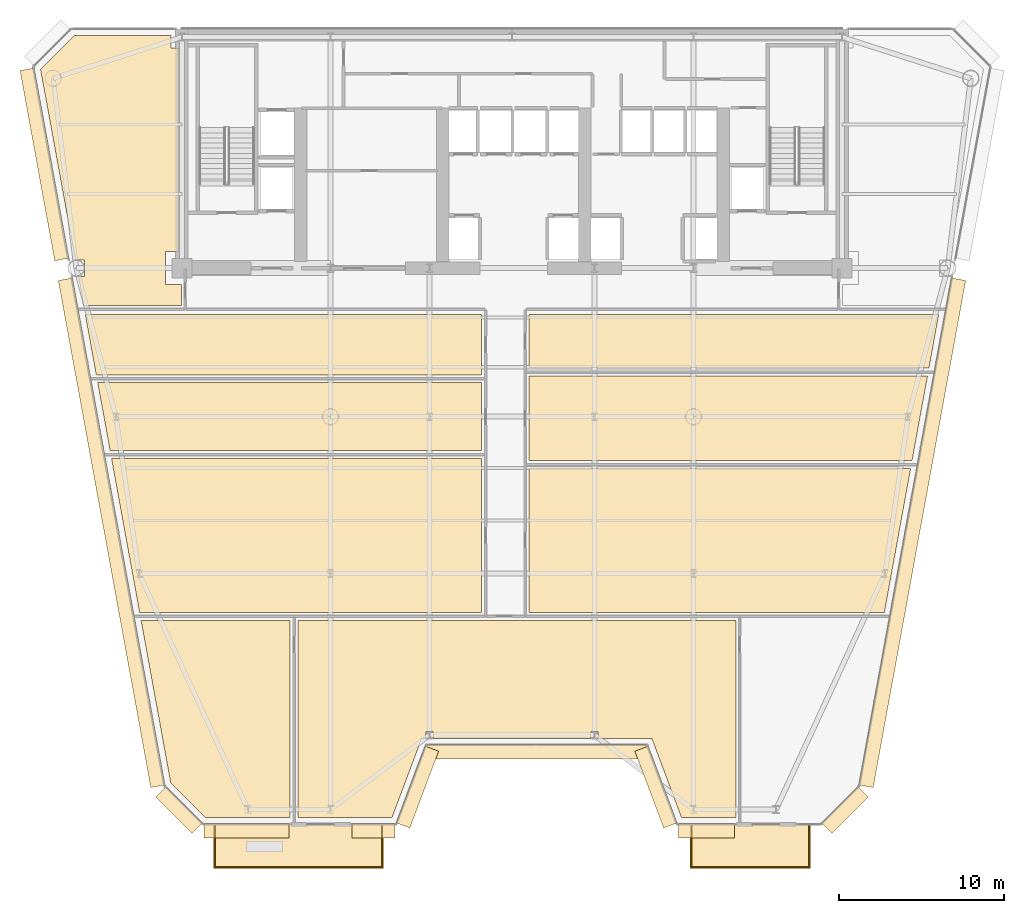
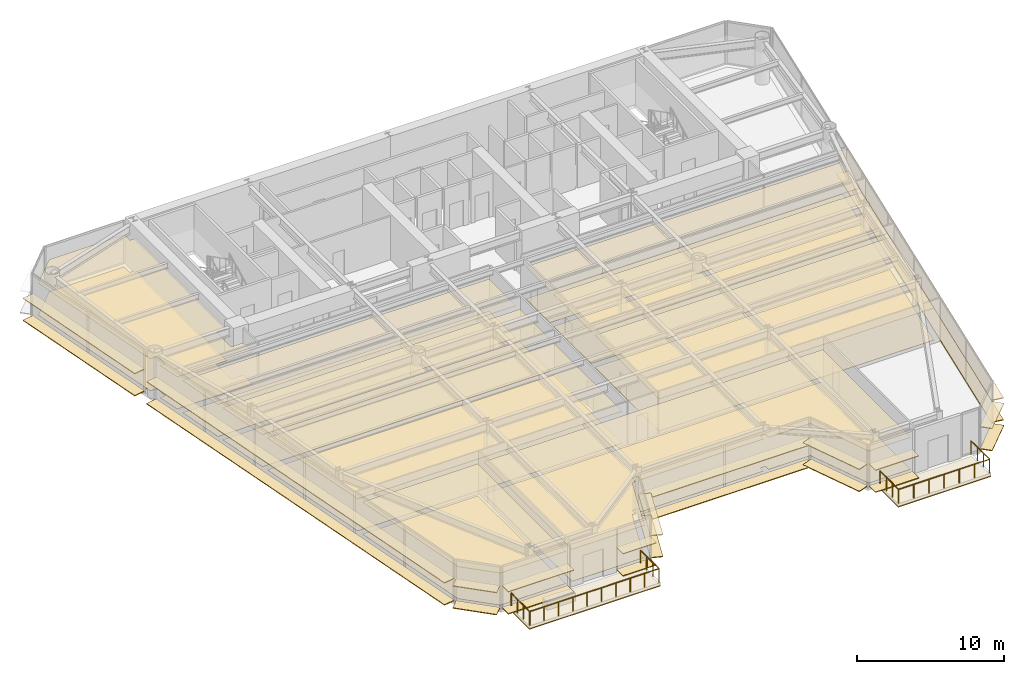
# One storey, part 14 of 17: 42 coverings, 2 railings.
"""IFC4 building model written with IfcOpenShell, lengths in metres."""

from ifc_helpers import new_model, si_unit, direction, frame, origin, origin_2d, place, context, subcontext, project, spatial, polyline, rectangle, circle, outline, extrude, source, transform, mapped, material, layer, layer_set, type_object, element, save


model = new_model("IFC4")

# Units and contexts
model_context = context("Model", 3, precision=1e-05, world=origin(), true_north=direction((0.0, 1.0)))
body_context = subcontext(model_context, "Body", "Model", "MODEL_VIEW")
ifc_project = project(units=[si_unit("LENGTHUNIT", "METRE"), si_unit("AREAUNIT", "SQUARE_METRE"), si_unit("VOLUMEUNIT", "CUBIC_METRE"), si_unit("PLANEANGLEUNIT", "RADIAN"), si_unit("MASSUNIT", "GRAM", prefix="KILO")], contexts=[model_context])

# Site, building, storey
site_placement = place(None, origin())
site = spatial("IfcSite", under=ifc_project, at=site_placement, CompositionType="ELEMENT")
building_placement = place(site_placement, origin())
building = spatial("IfcBuilding", under=site, at=building_placement, Name="Vaeldorn Concourse Tower", CompositionType="ELEMENT")
storey_placement = place(building_placement, frame((0.0, 0.0, 153.800048828125)))
storey = spatial("IfcBuildingStorey", under=building, at=storey_placement, Name="L39", CompositionType="ELEMENT", Elevation=153.800048828125)

# Coverings
ifc_material_1 = material(Name="Acoustic Mineral Fibre Board", Category="gypsum")
ifc_layer_1 = layer(ifc_material_1, 0.0400390625)
ifc_layer_set_1 = layer_set([ifc_layer_1], Name="Acoustic Mineral Fibre Board")
covering_type_1 = type_object("IfcCoveringType", Name="COV-CEIL-ACOUSTIC", PredefinedType="CEILING", material=ifc_layer_set_1)
covering_1_placement = place(storey_placement, frame((0.0, 0.0, 2.64990234375)))
element("IfcCovering", 1, at=covering_1_placement, inside=storey, type_object=covering_type_1, Name="Suspended Acoustic Ceiling L39-3", PredefinedType="CEILING", context=body_context, shape_type="SweptSolid", body=[
    extrude(outline(polyline([(7.4658203125, 50.60009765625), (13.340087890625, 50.60009765625), (13.340087890625, 49.840087890625), (13.820068359375, 49.840087890625), (13.820068359375, 37.5), (13.0, 37.5), (13.0, 35.5), (13.9599609375, 35.5), (13.9599609375, 34.239990234375), (8.044189453125, 34.239990234375), (7.724609375, 35.991943359375), (8.10791015625, 35.991943359375), (8.10791015625, 37.008056640625), (7.539306640625, 37.008056640625), (5.43115234375, 48.5654296875), (7.4658203125, 50.60009765625)])), origin(), (0.0, 0.0, 1.0), 0.0400390625),
])
covering_2_placement = place(storey_placement, frame((0.0, 0.0, 2.64990234375)))
element("IfcCovering", 2, at=covering_2_placement, inside=storey, type_object=covering_type_1, Name="Suspended Acoustic Ceiling L39-5", PredefinedType="CEILING", context=body_context, shape_type="SweptSolid", body=[
    extrude(outline(polyline([(32.159912109375, 24.9599609375), (32.159912109375, 15.639892578125), (11.43701171875, 15.639892578125), (9.737060546875, 24.9599609375), (32.159912109375, 24.9599609375)])), origin(), (0.0, 0.0, 1.0), 0.0400390625),
])
covering_3_placement = place(storey_placement, frame((0.0, 0.0, 2.64990234375)))
element("IfcCovering", 3, at=covering_3_placement, inside=storey, type_object=covering_type_1, Name="Suspended Acoustic Ceiling L39-6", PredefinedType="CEILING", context=body_context, shape_type="SweptSolid", body=[
    extrude(outline(polyline([(32.159912109375, 29.56005859375), (32.159912109375, 25.43994140625), (9.6494140625, 25.43994140625), (8.89794921875, 29.56005859375), (32.159912109375, 29.56005859375)])), origin(), (0.0, 0.0, 1.0), 0.0400390625),
])
covering_4_placement = place(storey_placement, frame((0.0, 0.0, 2.64990234375)))
element("IfcCovering", 4, at=covering_4_placement, inside=storey, type_object=covering_type_1, Name="Suspended Acoustic Ceiling L39-7", PredefinedType="CEILING", context=body_context, shape_type="SweptSolid", body=[
    extrude(outline(polyline([(32.159912109375, 33.699951171875), (32.159912109375, 30.0400390625), (8.810302734375, 30.0400390625), (8.142578125, 33.699951171875), (32.159912109375, 33.699951171875)])), origin(), (0.0, 0.0, 1.0), 0.0400390625),
])
covering_5_placement = place(storey_placement, frame((0.0, 0.0, 2.64990234375)))
element("IfcCovering", 5, at=covering_5_placement, inside=storey, type_object=covering_type_1, Name="Suspended Acoustic Ceiling L39-8", PredefinedType="CEILING", context=body_context, shape_type="SweptSolid", body=[
    extrude(outline(polyline([(35.0400390625, 15.639892578125), (35.0400390625, 24.360107421875), (58.153564453125, 24.360107421875), (56.56298828125, 15.639892578125), (35.0400390625, 15.639892578125)])), origin(), (0.0, 0.0, 1.0), 0.0400390625),
])
covering_6_placement = place(storey_placement, frame((0.0, 0.0, 2.64990234375)))
element("IfcCovering", 6, at=covering_6_placement, inside=storey, type_object=covering_type_1, Name="Suspended Acoustic Ceiling L39-9", PredefinedType="CEILING", context=body_context, shape_type="SweptSolid", body=[
    extrude(outline(polyline([(35.0400390625, 24.840087890625), (35.0400390625, 29.9599609375), (59.175048828125, 29.9599609375), (58.2412109375, 24.840087890625), (35.0400390625, 24.840087890625)])), origin(), (0.0, 0.0, 1.0), 0.0400390625),
])
covering_7_placement = place(storey_placement, frame((0.0, 0.0, 2.64990234375)))
element("IfcCovering", 7, at=covering_7_placement, inside=storey, type_object=covering_type_1, Name="Suspended Acoustic Ceiling L39-10", PredefinedType="CEILING", context=body_context, shape_type="SweptSolid", body=[
    extrude(outline(polyline([(35.0400390625, 30.43994140625), (35.0400390625, 33.699951171875), (59.857421875, 33.699951171875), (59.2626953125, 30.43994140625), (35.0400390625, 30.43994140625)])), origin(), (0.0, 0.0, 1.0), 0.0400390625),
])
covering_8_placement = place(storey_placement, frame((0.0, 0.0, 2.64990234375)))
element("IfcCovering", 8, at=covering_8_placement, inside=storey, type_object=covering_type_1, Name="Suspended Acoustic Ceiling L39-11", PredefinedType="CEILING", context=body_context, shape_type="SweptSolid", body=[
    extrude(outline(polyline([(20.56005859375, 15.159912109375), (20.56005859375, 3.199951171875), (15.418701171875, 3.199951171875), (13.32421875, 5.294677734375), (11.524658203125, 15.159912109375), (20.56005859375, 15.159912109375)])), origin(), (0.0, 0.0, 1.0), 0.0400390625),
])
covering_9_placement = place(storey_placement, frame((0.0, 0.0, 2.64990234375)))
element("IfcCovering", 9, at=covering_9_placement, inside=storey, type_object=covering_type_1, Name="Suspended Acoustic Ceiling L39-12", PredefinedType="CEILING", context=body_context, shape_type="SweptSolid", body=[
    extrude(outline(polyline([(26.722900390625, 3.199951171875), (21.0400390625, 3.199951171875), (21.0400390625, 15.159912109375), (47.56005859375, 15.159912109375), (47.56005859375, 3.199951171875), (44.277099609375, 3.199951171875), (42.477294921875, 8.0), (39.2119140625, 8.0), (39.2119140625, 8.43701171875), (38.7880859375, 8.43701171875), (38.7880859375, 8.0), (29.2119140625, 8.0), (29.2119140625, 8.43701171875), (28.7880859375, 8.43701171875), (28.7880859375, 8.0), (28.522705078125, 8.0), (26.722900390625, 3.199951171875)])), origin(), (0.0, 0.0, 1.0), 0.0400390625),
])
ifc_material_2 = material(Name="Honed Limestone Terrazzo Flooring", Category="masonry")
ifc_layer_2 = layer(ifc_material_2, 0.0400390625)
ifc_layer_set_2 = layer_set([ifc_layer_2], Name="Honed Limestone Terrazzo Flooring")
covering_type_2 = type_object("IfcCoveringType", Name="COV-FLOOR-STONE", PredefinedType="FLOORING", material=ifc_layer_set_2)
covering_10_placement = place(storey_placement, origin())
element("IfcCovering", 10, at=covering_10_placement, inside=storey, type_object=covering_type_2, Name="Floor Finish Covering L39-3", PredefinedType="FLOORING", context=body_context, shape_type="SweptSolid", body=[
    extrude(outline(polyline([(7.4658203125, 50.60009765625), (13.340087890625, 50.60009765625), (13.340087890625, 49.840087890625), (13.820068359375, 49.840087890625), (13.820068359375, 37.5), (13.0, 37.5), (13.0, 35.5), (13.9599609375, 35.5), (13.9599609375, 34.239990234375), (8.044189453125, 34.239990234375), (7.724609375, 35.991943359375), (8.10791015625, 35.991943359375), (8.10791015625, 37.008056640625), (7.539306640625, 37.008056640625), (5.43115234375, 48.5654296875), (7.4658203125, 50.60009765625)])), origin(), (0.0, 0.0, 1.0), 0.030029296875),
])
covering_11_placement = place(storey_placement, origin())
element("IfcCovering", 11, at=covering_11_placement, inside=storey, type_object=covering_type_2, Name="Floor Finish Covering L39-5", PredefinedType="FLOORING", context=body_context, shape_type="SweptSolid", body=[
    extrude(outline(polyline([(32.159912109375, 24.9599609375), (32.159912109375, 15.639892578125), (11.43701171875, 15.639892578125), (9.737060546875, 24.9599609375), (32.159912109375, 24.9599609375)])), origin(), (0.0, 0.0, 1.0), 0.030029296875),
])
covering_12_placement = place(storey_placement, origin())
element("IfcCovering", 12, at=covering_12_placement, inside=storey, type_object=covering_type_2, Name="Floor Finish Covering L39-6", PredefinedType="FLOORING", context=body_context, shape_type="SweptSolid", body=[
    extrude(outline(polyline([(32.159912109375, 29.56005859375), (32.159912109375, 25.43994140625), (9.6494140625, 25.43994140625), (8.89794921875, 29.56005859375), (32.159912109375, 29.56005859375)])), origin(), (0.0, 0.0, 1.0), 0.030029296875),
])
covering_13_placement = place(storey_placement, origin())
element("IfcCovering", 13, at=covering_13_placement, inside=storey, type_object=covering_type_2, Name="Floor Finish Covering L39-7", PredefinedType="FLOORING", context=body_context, shape_type="SweptSolid", body=[
    extrude(outline(polyline([(32.159912109375, 33.699951171875), (32.159912109375, 30.0400390625), (8.810302734375, 30.0400390625), (8.142578125, 33.699951171875), (32.159912109375, 33.699951171875)])), origin(), (0.0, 0.0, 1.0), 0.030029296875),
])
covering_14_placement = place(storey_placement, origin())
element("IfcCovering", 14, at=covering_14_placement, inside=storey, type_object=covering_type_2, Name="Floor Finish Covering L39-8", PredefinedType="FLOORING", context=body_context, shape_type="SweptSolid", body=[
    extrude(outline(polyline([(35.0400390625, 15.639892578125), (35.0400390625, 24.360107421875), (58.153564453125, 24.360107421875), (56.56298828125, 15.639892578125), (35.0400390625, 15.639892578125)])), origin(), (0.0, 0.0, 1.0), 0.030029296875),
])
covering_15_placement = place(storey_placement, origin())
element("IfcCovering", 15, at=covering_15_placement, inside=storey, type_object=covering_type_2, Name="Floor Finish Covering L39-9", PredefinedType="FLOORING", context=body_context, shape_type="SweptSolid", body=[
    extrude(outline(polyline([(35.0400390625, 24.840087890625), (35.0400390625, 29.9599609375), (59.175048828125, 29.9599609375), (58.2412109375, 24.840087890625), (35.0400390625, 24.840087890625)])), origin(), (0.0, 0.0, 1.0), 0.030029296875),
])
covering_16_placement = place(storey_placement, origin())
element("IfcCovering", 16, at=covering_16_placement, inside=storey, type_object=covering_type_2, Name="Floor Finish Covering L39-10", PredefinedType="FLOORING", context=body_context, shape_type="SweptSolid", body=[
    extrude(outline(polyline([(35.0400390625, 30.43994140625), (35.0400390625, 33.699951171875), (59.857421875, 33.699951171875), (59.2626953125, 30.43994140625), (35.0400390625, 30.43994140625)])), origin(), (0.0, 0.0, 1.0), 0.030029296875),
])
covering_17_placement = place(storey_placement, origin())
element("IfcCovering", 17, at=covering_17_placement, inside=storey, type_object=covering_type_2, Name="Floor Finish Covering L39-11", PredefinedType="FLOORING", context=body_context, shape_type="SweptSolid", body=[
    extrude(outline(polyline([(20.56005859375, 15.159912109375), (20.56005859375, 3.199951171875), (15.418701171875, 3.199951171875), (13.32421875, 5.294677734375), (11.524658203125, 15.159912109375), (20.56005859375, 15.159912109375)])), origin(), (0.0, 0.0, 1.0), 0.030029296875),
])
covering_18_placement = place(storey_placement, origin())
element("IfcCovering", 18, at=covering_18_placement, inside=storey, type_object=covering_type_2, Name="Floor Finish Covering L39-12", PredefinedType="FLOORING", context=body_context, shape_type="SweptSolid", body=[
    extrude(outline(polyline([(26.722900390625, 3.199951171875), (21.0400390625, 3.199951171875), (21.0400390625, 15.159912109375), (47.56005859375, 15.159912109375), (47.56005859375, 3.199951171875), (44.277099609375, 3.199951171875), (42.477294921875, 8.0), (39.2119140625, 8.0), (39.2119140625, 8.43701171875), (38.7880859375, 8.43701171875), (38.7880859375, 8.0), (29.2119140625, 8.0), (29.2119140625, 8.43701171875), (28.7880859375, 8.43701171875), (28.7880859375, 8.0), (28.522705078125, 8.0), (26.722900390625, 3.199951171875)])), origin(), (0.0, 0.0, 1.0), 0.030029296875),
])
ifc_material_3 = material(Name="EPDM Waterproof Membrane and Insulation", Category="plastic")
ifc_layer_3 = layer(ifc_material_3, 0.080078125)
ifc_layer_set_3 = layer_set([ifc_layer_3], Name="EPDM Waterproof Membrane and Insulation")
covering_type_3 = type_object("IfcCoveringType", Name="COV-ROOFING-EPDM", PredefinedType="ROOFING", material=ifc_layer_set_3)
covering_19_placement = place(storey_placement, frame((0.0, 0.0, -0.300048828125)))
element("IfcCovering", 19, at=covering_19_placement, inside=storey, type_object=covering_type_3, Name="Sky Garden Waterproofing Membrane L39-1", PredefinedType="ROOFING", context=body_context, shape_type="SweptSolid", body=[
    extrude(outline(polyline([(15.9150390625, 0.1201171875), (26.199951171875, 0.1201171875), (26.199951171875, 2.780029296875), (15.9150390625, 2.780029296875), (15.9150390625, 0.1201171875)])), origin(), (0.0, 0.0, 1.0), 0.080078125),
])
covering_20_placement = place(storey_placement, frame((0.0, 0.0, -0.300048828125)))
element("IfcCovering", 20, at=covering_20_placement, inside=storey, type_object=covering_type_3, Name="Sky Garden Waterproofing Membrane L39-2", PredefinedType="ROOFING", context=body_context, shape_type="SweptSolid", body=[
    extrude(outline(polyline([(44.800048828125, 0.1201171875), (52.0849609375, 0.1201171875), (52.0849609375, 2.780029296875), (44.800048828125, 2.780029296875), (44.800048828125, 0.1201171875)])), origin(), (0.0, 0.0, 1.0), 0.080078125),
])

# Railings
ifc_material_4 = material(Name="Anodised Bronze Aluminium", Category="aluminium")
railing_type = type_object("IfcRailingType", Name="RL-BALUSTRADE-1150", PredefinedType="BALUSTRADE", material=ifc_material_4)
railing_1_placement = place(storey_placement, frame((15.9951171875, 2.699951171875, 0.0)))
element("IfcRailing", 21, at=railing_1_placement, inside=storey, type_object=railing_type, Name="Sawtooth Sky Garden Balustrade L39-1", PredefinedType="BALUSTRADE", context=body_context, shape_type="SweptSolid", body=[
    extrude(circle(Radius=0.02392578125, at=origin_2d()), frame((0.0, 0.0, 1.1259765625), z_axis=(0.0, -1.0, 0.0), x_axis=(1.0, 0.0, 0.0)), (0.0, 0.0, 1.0), 2.5),
    extrude(circle(Radius=0.02392578125, at=origin_2d()), frame((0.0, -2.5, 1.1259765625), z_axis=(1.0, 0.0, 0.0), x_axis=(0.0, 1.0, 0.0)), (0.0, 0.0, 1.0), 10.125),
    extrude(circle(Radius=0.02392578125, at=origin_2d()), frame((10.125, -2.5, 1.1259765625), z_axis=(0.0, 1.0, 0.0), x_axis=(-1.0, 0.0, 0.0)), (0.0, 0.0, 1.0), 2.5),
    extrude(circle(Radius=0.02099609375, at=origin_2d()), origin(), (0.0, 0.0, 1.0), 1.101806640625),
    extrude(circle(Radius=0.02099609375, at=origin_2d()), frame((0.0, -0.833251953125, 0.0)), (0.0, 0.0, 1.0), 1.101806640625),
    extrude(circle(Radius=0.02099609375, at=origin_2d()), frame((0.0, -1.666748046875, 0.0)), (0.0, 0.0, 1.0), 1.101806640625),
    extrude(circle(Radius=0.02099609375, at=origin_2d()), frame((0.0, -2.5, 0.0)), (0.0, 0.0, 1.0), 1.101806640625),
    extrude(circle(Radius=0.02099609375, at=origin_2d()), frame((1.125, -2.5, 0.0)), (0.0, 0.0, 1.0), 1.101806640625),
    extrude(circle(Radius=0.02099609375, at=origin_2d()), frame((2.25, -2.5, 0.0)), (0.0, 0.0, 1.0), 1.101806640625),
    extrude(circle(Radius=0.02099609375, at=origin_2d()), frame((3.375, -2.5, 0.0)), (0.0, 0.0, 1.0), 1.101806640625),
    extrude(circle(Radius=0.02099609375, at=origin_2d()), frame((4.5, -2.5, 0.0)), (0.0, 0.0, 1.0), 1.101806640625),
    extrude(circle(Radius=0.02099609375, at=origin_2d()), frame((5.625, -2.5, 0.0)), (0.0, 0.0, 1.0), 1.101806640625),
    extrude(circle(Radius=0.02099609375, at=origin_2d()), frame((6.75, -2.5, 0.0)), (0.0, 0.0, 1.0), 1.101806640625),
    extrude(circle(Radius=0.02099609375, at=origin_2d()), frame((7.875, -2.5, 0.0)), (0.0, 0.0, 1.0), 1.101806640625),
    extrude(circle(Radius=0.02099609375, at=origin_2d()), frame((9.0, -2.5, 0.0)), (0.0, 0.0, 1.0), 1.101806640625),
    extrude(circle(Radius=0.02099609375, at=origin_2d()), frame((10.125, -2.5, 0.0)), (0.0, 0.0, 1.0), 1.101806640625),
    extrude(circle(Radius=0.02099609375, at=origin_2d()), frame((10.125, -1.666748046875, 0.0)), (0.0, 0.0, 1.0), 1.101806640625),
    extrude(circle(Radius=0.02099609375, at=origin_2d()), frame((10.125, -0.833251953125, 0.0)), (0.0, 0.0, 1.0), 1.101806640625),
    extrude(circle(Radius=0.02099609375, at=origin_2d()), frame((10.125, 0.0, 0.0)), (0.0, 0.0, 1.0), 1.101806640625),
])
railing_2_placement = place(storey_placement, frame((44.8798828125, 2.699951171875, 0.0)))
element("IfcRailing", 22, at=railing_2_placement, inside=storey, type_object=railing_type, Name="Sawtooth Sky Garden Balustrade L39-2", PredefinedType="BALUSTRADE", context=body_context, shape_type="SweptSolid", body=[
    extrude(circle(Radius=0.02392578125, at=origin_2d()), frame((0.0, 0.0, 1.1259765625), z_axis=(0.0, -1.0, 0.0), x_axis=(1.0, 0.0, 0.0)), (0.0, 0.0, 1.0), 2.5),
    extrude(circle(Radius=0.02392578125, at=origin_2d()), frame((0.0, -2.5, 1.1259765625), z_axis=(1.0, 0.0, 0.0), x_axis=(0.0, 1.0, 0.0)), (0.0, 0.0, 1.0), 7.125),
    extrude(circle(Radius=0.02392578125, at=origin_2d()), frame((7.125, -2.5, 1.1259765625), z_axis=(0.0, 1.0, 0.0), x_axis=(-1.0, 0.0, 0.0)), (0.0, 0.0, 1.0), 2.5),
    extrude(circle(Radius=0.02099609375, at=origin_2d()), origin(), (0.0, 0.0, 1.0), 1.101806640625),
    extrude(circle(Radius=0.02099609375, at=origin_2d()), frame((0.0, -0.833251953125, 0.0)), (0.0, 0.0, 1.0), 1.101806640625),
    extrude(circle(Radius=0.02099609375, at=origin_2d()), frame((0.0, -1.666748046875, 0.0)), (0.0, 0.0, 1.0), 1.101806640625),
    extrude(circle(Radius=0.02099609375, at=origin_2d()), frame((0.0, -2.5, 0.0)), (0.0, 0.0, 1.0), 1.101806640625),
    extrude(circle(Radius=0.02099609375, at=origin_2d()), frame((1.1875, -2.5, 0.0)), (0.0, 0.0, 1.0), 1.101806640625),
    extrude(circle(Radius=0.02099609375, at=origin_2d()), frame((2.375, -2.5, 0.0)), (0.0, 0.0, 1.0), 1.101806640625),
    extrude(circle(Radius=0.02099609375, at=origin_2d()), frame((3.5625, -2.5, 0.0)), (0.0, 0.0, 1.0), 1.101806640625),
    extrude(circle(Radius=0.02099609375, at=origin_2d()), frame((4.75, -2.5, 0.0)), (0.0, 0.0, 1.0), 1.101806640625),
    extrude(circle(Radius=0.02099609375, at=origin_2d()), frame((5.9375, -2.5, 0.0)), (0.0, 0.0, 1.0), 1.101806640625),
    extrude(circle(Radius=0.02099609375, at=origin_2d()), frame((7.125, -2.5, 0.0)), (0.0, 0.0, 1.0), 1.101806640625),
    extrude(circle(Radius=0.02099609375, at=origin_2d()), frame((7.125, -1.666748046875, 0.0)), (0.0, 0.0, 1.0), 1.101806640625),
    extrude(circle(Radius=0.02099609375, at=origin_2d()), frame((7.125, -0.833251953125, 0.0)), (0.0, 0.0, 1.0), 1.101806640625),
    extrude(circle(Radius=0.02099609375, at=origin_2d()), frame((7.125, 0.0, 0.0)), (0.0, 0.0, 1.0), 1.101806640625),
])

# Coverings
ifc_layer_4 = layer(ifc_material_4, 0.06494140625)
ifc_layer_set_4 = layer_set([ifc_layer_4], Name="Anodised Bronze Aluminium")
covering_type_4 = type_object("IfcCoveringType", Name="SD-BRONZE-SUNSHADE", PredefinedType="USERDEFINED", material=ifc_layer_set_4)
shared_shape_1 = source(origin(), body_context, "Body", "SweptSolid", [
    extrude(rectangle(XDim=4.96630859375, YDim=0.8798828125, at=origin_2d()), origin(), (0.0, 0.0, 1.0), 0.06494140625),
])
for number, where, z_axis, x_axis, name in (
    (23, (28.2744140625, 5.0595703125, 0.04736328125), (0.0, 0.0, 1.0), (0.351122702609, 0.936329454686, 0.0), "Horizontal Bronze Sunshade L39-E02.1.1"),
    (24, (28.2744140625, 5.0595703125, 1.867431640625), (0.0, 0.0, 1.0), (0.351122702609, 0.936329454686, 0.0), "Horizontal Bronze Sunshade L39-E02.1.2"),
    (25, (42.7255859375, 5.0595703125, 0.04736328125), (0.0, 0.0, 1.0), (0.351122702609, -0.936329454686, 0.0), "Horizontal Bronze Sunshade L39-E04.1.1"),
    (26, (42.7255859375, 5.0595703125, 1.867431640625), (0.0, 0.0, 1.0), (0.351122702609, -0.936329454686, 0.0), "Horizontal Bronze Sunshade L39-E04.1.2"),
):
    element("IfcCovering", number, at=place(storey_placement, frame(where, z_axis=z_axis, x_axis=x_axis)), inside=storey, type_object=covering_type_4, Name=name, ObjectType="SUNSHADE", PredefinedType="USERDEFINED", context=body_context, shape_type="MappedRepresentation", body=[
        mapped(shared_shape_1, transform((0.0, 0.0, 0.0), scale=1.0)),
    ])
shared_shape_2 = source(origin(), body_context, "Body", "SweptSolid", [
    extrude(rectangle(XDim=13.239990234375, YDim=0.8798828125, at=origin_2d()), origin(), (0.0, 0.0, 1.0), 0.06494140625),
])
for number, where, z_axis, x_axis, name in (
    (27, (35.5, 7.199951171875, 0.04736328125), (0.0, 0.0, 1.0), (1.0, 0.0, 0.0), "Horizontal Bronze Sunshade L39-E03.1.1"),
    (28, (35.5, 7.199951171875, 1.867431640625), (0.0, 0.0, 1.0), (1.0, 0.0, 0.0), "Horizontal Bronze Sunshade L39-E03.1.2"),
):
    element("IfcCovering", number, at=place(storey_placement, frame(where, z_axis=z_axis, x_axis=x_axis)), inside=storey, type_object=covering_type_4, Name=name, ObjectType="SUNSHADE", PredefinedType="USERDEFINED", context=body_context, shape_type="MappedRepresentation", body=[
        mapped(shared_shape_2, transform((0.0, 0.0, 0.0), scale=1.0)),
    ])
shared_shape_3 = source(origin(), body_context, "Body", "SweptSolid", [
    extrude(rectangle(XDim=3.0927734375, YDim=0.8798828125, at=origin_2d()), origin(), (0.0, 0.0, 1.0), 0.06494140625),
])
for number, where, z_axis, x_axis, name in (
    (29, (54.1796875, 3.667236328125, 0.04736328125), (0.0, 0.0, 1.0), (0.707106781187, 0.707106781187, 0.0), "Horizontal Bronze Sunshade L39-E06.1.1"),
    (30, (54.1796875, 3.667236328125, 1.867431640625), (0.0, 0.0, 1.0), (0.707106781187, 0.707106781187, 0.0), "Horizontal Bronze Sunshade L39-E06.1.2"),
    (31, (13.8203125, 3.667236328125, 0.04736328125), (0.0, 0.0, 1.0), (0.707106781187, -0.707106781187, 0.0), "Horizontal Bronze Sunshade L39-E12.1.1"),
    (32, (13.8203125, 3.667236328125, 1.867431640625), (0.0, 0.0, 1.0), (0.707106781187, -0.707106781187, 0.0), "Horizontal Bronze Sunshade L39-E12.1.2"),
):
    element("IfcCovering", number, at=place(storey_placement, frame(where, z_axis=z_axis, x_axis=x_axis)), inside=storey, type_object=covering_type_4, Name=name, ObjectType="SUNSHADE", PredefinedType="USERDEFINED", context=body_context, shape_type="MappedRepresentation", body=[
        mapped(shared_shape_3, transform((0.0, 0.0, 0.0), scale=1.0)),
    ])
shared_shape_4 = source(origin(), body_context, "Body", "SweptSolid", [
    extrude(rectangle(XDim=11.71484375, YDim=0.8798828125, at=origin_2d()), origin(), (0.0, 0.0, 1.0), 0.06494140625),
])
for number, where, z_axis, x_axis, name in (
    (33, (5.671875, 42.787109375, 0.04736328125), (0.0, 0.0, 1.0), (0.179454713012, -0.983766235433, 0.0), "Horizontal Bronze Sunshade L39-E11.1.1"),
    (34, (5.671875, 42.787109375, 1.867431640625), (0.0, 0.0, 1.0), (0.179454713012, -0.983766235433, 0.0), "Horizontal Bronze Sunshade L39-E11.1.2"),
):
    element("IfcCovering", number, at=place(storey_placement, frame(where, z_axis=z_axis, x_axis=x_axis)), inside=storey, type_object=covering_type_4, Name=name, ObjectType="SUNSHADE", PredefinedType="USERDEFINED", context=body_context, shape_type="MappedRepresentation", body=[
        mapped(shared_shape_4, transform((0.0, 0.0, 0.0), scale=1.0)),
    ])
shared_shape_5 = source(origin(), body_context, "Body", "SweptSolid", [
    extrude(rectangle(XDim=5.14697265625, YDim=0.8798828125, at=origin_2d()), origin(), (0.0, 0.0, 1.0), 0.06494140625),
])
for number, where, z_axis, x_axis, name in (
    (35, (17.906494140625, 2.39990234375, 0.04736328125), (0.0, 0.0, 1.0), (1.0, 0.0, 0.0), "Horizontal Bronze Sunshade L39-E01.1.1"),
    (36, (17.906494140625, 2.39990234375, 1.867431640625), (0.0, 0.0, 1.0), (1.0, 0.0, 0.0), "Horizontal Bronze Sunshade L39-E01.1.2"),
):
    element("IfcCovering", number, at=place(storey_placement, frame(where, z_axis=z_axis, x_axis=x_axis)), inside=storey, type_object=covering_type_4, Name=name, ObjectType="SUNSHADE", PredefinedType="USERDEFINED", context=body_context, shape_type="MappedRepresentation", body=[
        mapped(shared_shape_5, transform((0.0, 0.0, 0.0), scale=1.0)),
    ])
shared_shape_6 = source(origin(), body_context, "Body", "SweptSolid", [
    extrude(rectangle(XDim=2.60009765625, YDim=0.8798828125, at=origin_2d()), origin(), (0.0, 0.0, 1.0), 0.06494140625),
])
for number, where, z_axis, x_axis, name in (
    (37, (25.6201171875, 2.39990234375, 0.04736328125), (0.0, 0.0, 1.0), (1.0, 0.0, 0.0), "Horizontal Bronze Sunshade L39-E01.2.1"),
    (38, (25.6201171875, 2.39990234375, 1.867431640625), (0.0, 0.0, 1.0), (1.0, 0.0, 0.0), "Horizontal Bronze Sunshade L39-E01.2.2"),
):
    element("IfcCovering", number, at=place(storey_placement, frame(where, z_axis=z_axis, x_axis=x_axis)), inside=storey, type_object=covering_type_4, Name=name, ObjectType="SUNSHADE", PredefinedType="USERDEFINED", context=body_context, shape_type="MappedRepresentation", body=[
        mapped(shared_shape_6, transform((0.0, 0.0, 0.0), scale=1.0)),
    ])
shared_shape_7 = source(origin(), body_context, "Body", "SweptSolid", [
    extrude(rectangle(XDim=3.39990234375, YDim=0.8798828125, at=origin_2d()), origin(), (0.0, 0.0, 1.0), 0.06494140625),
])
for number, where, z_axis, x_axis, name in (
    (39, (45.780029296875, 2.39990234375, 0.04736328125), (0.0, 0.0, 1.0), (1.0, 0.0, 0.0), "Horizontal Bronze Sunshade L39-E05.1.1"),
    (40, (45.780029296875, 2.39990234375, 1.867431640625), (0.0, 0.0, 1.0), (1.0, 0.0, 0.0), "Horizontal Bronze Sunshade L39-E05.1.2"),
):
    element("IfcCovering", number, at=place(storey_placement, frame(where, z_axis=z_axis, x_axis=x_axis)), inside=storey, type_object=covering_type_4, Name=name, ObjectType="SUNSHADE", PredefinedType="USERDEFINED", context=body_context, shape_type="MappedRepresentation", body=[
        mapped(shared_shape_7, transform((0.0, 0.0, 0.0), scale=1.0)),
    ])
shared_shape_8 = source(origin(), body_context, "Body", "SweptSolid", [
    extrude(rectangle(XDim=31.231689453125, YDim=0.8798828125, at=origin_2d()), origin(), (0.0, 0.0, 1.0), 0.06494140625),
])
for number, where, z_axis, x_axis, name in (
    (41, (58.257080078125, 20.46923828125, 0.04736328125), (0.0, 0.0, 1.0), (0.179454713012, 0.983766235433, 0.0), "Horizontal Bronze Sunshade L39-E07.1.1"),
    (42, (58.257080078125, 20.46923828125, 1.867431640625), (0.0, 0.0, 1.0), (0.179454713012, 0.983766235433, 0.0), "Horizontal Bronze Sunshade L39-E07.1.2"),
    (43, (9.742919921875, 20.46923828125, 0.04736328125), (0.0, 0.0, 1.0), (0.179454713012, -0.983766235433, 0.0), "Horizontal Bronze Sunshade L39-E11.2.1"),
    (44, (9.742919921875, 20.46923828125, 1.867431640625), (0.0, 0.0, 1.0), (0.179454713012, -0.983766235433, 0.0), "Horizontal Bronze Sunshade L39-E11.2.2"),
):
    element("IfcCovering", number, at=place(storey_placement, frame(where, z_axis=z_axis, x_axis=x_axis)), inside=storey, type_object=covering_type_4, Name=name, ObjectType="SUNSHADE", PredefinedType="USERDEFINED", context=body_context, shape_type="MappedRepresentation", body=[
        mapped(shared_shape_8, transform((0.0, 0.0, 0.0), scale=1.0)),
    ])

save(model, "model.ifc")
